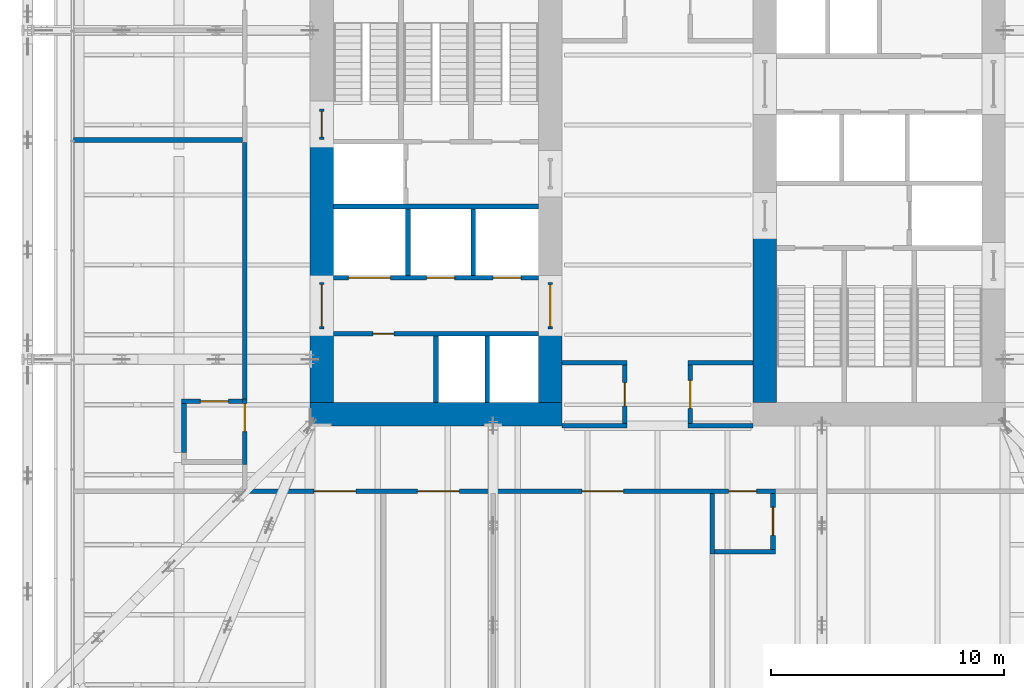
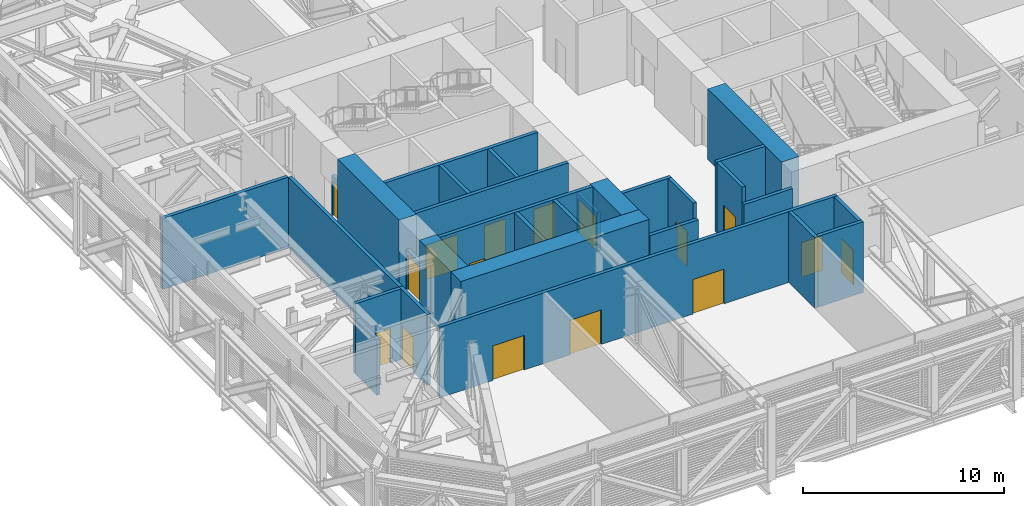
# One storey, part 22 of 33: 30 walls, 16 doors, 16 openings.
"""IFC4 building model written with IfcOpenShell, lengths in metres."""

from ifc_helpers import new_model, si_unit, direction, frame, frame_2d, origin, place, context, subcontext, project, spatial, rectangle, extrude, material, layer, layer_set, type_object, element, fill, save


model = new_model("IFC4")

# Units and contexts
model_context = context("Model", 3, precision=1e-05, world=origin(), true_north=direction((0.0, 1.0)))
body_context = subcontext(model_context, "Body", "Model", "MODEL_VIEW")
ifc_project = project(units=[si_unit("LENGTHUNIT", "METRE"), si_unit("AREAUNIT", "SQUARE_METRE"), si_unit("VOLUMEUNIT", "CUBIC_METRE"), si_unit("PLANEANGLEUNIT", "RADIAN"), si_unit("MASSUNIT", "GRAM", prefix="KILO")], contexts=[model_context])

# Site, building, storey
site_placement = place(None, origin())
site = spatial("IfcSite", under=ifc_project, at=site_placement, CompositionType="ELEMENT")
building_placement = place(site_placement, origin())
building = spatial("IfcBuilding", under=site, at=building_placement, Name="Millrace Tower", CompositionType="ELEMENT")
storey_placement = place(building_placement, frame((0.0, 0.0, 64.10009765625)))
storey = spatial("IfcBuildingStorey", under=building, at=storey_placement, Name="L14", CompositionType="ELEMENT", Elevation=64.10009765625)

# Walls
ifc_material_1 = material(Name="Concrete C80", Category="concrete")
ifc_layer_1 = layer(ifc_material_1, 1.0)
ifc_layer_set_1 = layer_set([ifc_layer_1], Name="Concrete C80")
wall_type_1 = type_object("IfcWallType", Name="Core wall 1000 Concrete C80", PredefinedType="SHEAR", material=ifc_layer_set_1)
wall_1_placement = place(storey_placement, frame((-14.89990234375, -9.39990234375, 0.0), z_axis=(0.0, 0.0, 1.0), x_axis=(1.0, 0.0, 0.0)))
element("IfcWall", 1, at=wall_1_placement, inside=storey, type_object=wall_type_1, Name="Core wall W L14", PredefinedType="SHEAR", context=body_context, shape_type="SweptSolid", body=[
    extrude(rectangle(XDim=10.7998046875, YDim=1.0, at=frame_2d((5.39990234375, 0.0))), origin(), (0.0, 0.0, 1.0), 4.2998046875),
])
wall_2_placement = place(storey_placement, frame((-14.39990234375, -8.89990234375, 0.0), z_axis=(0.0, 0.0, 1.0), x_axis=(0.0, 1.0, 0.0)))
element("IfcWall", 2, at=wall_2_placement, inside=storey, type_object=wall_type_1, Name="Core wall W L14", PredefinedType="SHEAR", context=body_context, shape_type="SweptSolid", body=[
    extrude(rectangle(XDim=3.14990234375, YDim=1.0, at=frame_2d((1.574951171875, 0.0))), origin(), (0.0, 0.0, 1.0), 4.2998046875),
])
wall_3_placement = place(storey_placement, frame((-14.39990234375, -3.75, 0.0), z_axis=(0.0, 0.0, 1.0), x_axis=(0.0, 1.0, 0.0)))
element("IfcWall", 3, at=wall_3_placement, inside=storey, type_object=wall_type_1, Name="Core wall W L14", PredefinedType="SHEAR", context=body_context, shape_type="SweptSolid", body=[
    extrude(rectangle(XDim=6.1298828125, YDim=1.0, at=frame_2d((3.06494140625, 0.0))), origin(), (0.0, 0.0, 1.0), 4.2998046875),
])
wall_4_placement = place(storey_placement, frame((-4.60009765625, -8.89990234375, 0.0), z_axis=(0.0, 0.0, 1.0), x_axis=(0.0, 1.0, 0.0)))
element("IfcWall", 4, at=wall_4_placement, inside=storey, type_object=wall_type_1, Name="Core wall W L14", PredefinedType="SHEAR", context=body_context, shape_type="SweptSolid", body=[
    extrude(rectangle(XDim=3.14990234375, YDim=1.0, at=frame_2d((1.574951171875, 0.0))), origin(), (0.0, 0.0, 1.0), 4.2998046875),
])
wall_5_placement = place(storey_placement, frame((4.60009765625, -1.550048828125, 0.0), z_axis=(0.0, 0.0, 1.0), x_axis=(0.0, -1.0, 0.0)))
element("IfcWall", 5, at=wall_5_placement, inside=storey, type_object=wall_type_1, Name="Core wall E L14", PredefinedType="SHEAR", context=body_context, shape_type="SweptSolid", body=[
    extrude(rectangle(XDim=7.349853515625, YDim=1.0, at=frame_2d((3.6748046875, 0.0))), origin(), (0.0, 0.0, 1.0), 4.2998046875),
])

# Wall, openings, doors
ifc_material_2 = material(Name="Masonry partition, fire-rated", Category="masonry")
ifc_layer_2 = layer(ifc_material_2, 0.199951171875)
ifc_layer_set_2 = layer_set([ifc_layer_2], Name="Masonry partition, fire-rated")
wall_type_2 = type_object("IfcWallType", Name="Corridor wall 200", PredefinedType="PARTITIONING", material=ifc_layer_set_2)
wall_6_placement = place(storey_placement, frame((-17.800048828125, -12.699951171875, 0.0), z_axis=(0.0, 0.0, 1.0), x_axis=(1.0, 0.0, 0.0)))
wall_6 = element("IfcWall", 6, at=wall_6_placement, inside=storey, type_object=wall_type_2, Name="Corridor wall L14", PredefinedType="PARTITIONING", context=body_context, shape_type="SweptSolid", body=[
    extrude(rectangle(XDim=22.85009765625, YDim=0.199951171875, at=frame_2d((11.425048828125, 0.0))), origin(), (0.0, 0.0, 1.0), 4.2998046875),
])
opening_1_placement = place(wall_6_placement, frame((3.070068359375, 0.0, 0.0)))
opening_1 = element("IfcOpeningElement", 7, at=opening_1_placement, cuts=wall_6, Name="Opening 14-P005", PredefinedType="OPENING", context=body_context, shape_type="SweptSolid", body=[
    extrude(rectangle(XDim=1.800048828125, YDim=2.10009765625, at=frame_2d((0.89990234375, 1.050048828125))), frame((0.0, 0.10986328125, 0.0), z_axis=(0.0, -1.0, 0.0), x_axis=(1.0, 0.0, 0.0)), (0.0, 0.0, 1.0), 0.219970703125),
])
opening_2_placement = place(wall_6_placement, frame((7.5, 0.0, 0.0)))
opening_2 = element("IfcOpeningElement", 8, at=opening_2_placement, cuts=wall_6, Name="Opening 14-P006", PredefinedType="OPENING", context=body_context, shape_type="SweptSolid", body=[
    extrude(rectangle(XDim=1.800048828125, YDim=2.10009765625, at=frame_2d((0.89990234375, 1.050048828125))), frame((0.0, 0.10986328125, 0.0), z_axis=(0.0, -1.0, 0.0), x_axis=(1.0, 0.0, 0.0)), (0.0, 0.0, 1.0), 0.219970703125),
])
opening_3_placement = place(wall_6_placement, frame((14.550048828125, 0.0, 0.0)))
opening_3 = element("IfcOpeningElement", 9, at=opening_3_placement, cuts=wall_6, Name="Opening 14-P007", PredefinedType="OPENING", context=body_context, shape_type="SweptSolid", body=[
    extrude(rectangle(XDim=1.800048828125, YDim=2.10009765625, at=frame_2d((0.89990234375, 1.050048828125))), frame((0.0, 0.10986328125, 0.0), z_axis=(0.0, -1.0, 0.0), x_axis=(1.0, 0.0, 0.0)), (0.0, 0.0, 1.0), 0.219970703125),
])
opening_4_placement = place(wall_6_placement, frame((20.85009765625, 0.0, 0.0)))
opening_4 = element("IfcOpeningElement", 10, at=opening_4_placement, cuts=wall_6, Name="Opening 14-P009", PredefinedType="OPENING", context=body_context, shape_type="SweptSolid", body=[
    extrude(rectangle(XDim=1.199951171875, YDim=2.10009765625, at=frame_2d((0.60009765625, 1.050048828125))), frame((0.0, 0.10986328125, 0.0), z_axis=(0.0, -1.0, 0.0), x_axis=(1.0, 0.0, 0.0)), (0.0, 0.0, 1.0), 0.219970703125),
])
ifc_material_3 = material(Name="Steel door set, fire-rated", Category="steel")
door_type_1 = type_object("IfcDoorType", Name="Corridor door 1200 x 2100", OperationType="SINGLE_SWING_LEFT", PredefinedType="DOOR", material=ifc_material_3)
door_1_placement = place(opening_4_placement, frame((1.199951171875, 0.0, 0.0), z_axis=(0.0, 0.0, 1.0), x_axis=(-1.0, 0.0, 0.0)))
door_1 = element("IfcDoor", 11, at=door_1_placement, inside=storey, type_object=door_type_1, Name="Door 14-P009", OperationType="SINGLE_SWING_LEFT", OverallHeight=2.10009765625, OverallWidth=1.199951171875, PredefinedType="DOOR", context=body_context, shape_type="SweptSolid", body=[
    extrude(rectangle(XDim=1.199951171875, YDim=2.10009765625, at=frame_2d((0.60009765625, 1.050048828125))), frame((0.0, 0.02490234375, 0.0), z_axis=(0.0, -1.0, 0.0), x_axis=(1.0, 0.0, 0.0)), (0.0, 0.0, 1.0), 0.050048828125),
])
fill(opening_4, door_1)
ifc_material_4 = material(Name="Steel door set, fire-rated", Category="steel")
door_type_2 = type_object("IfcDoorType", Name="Data hall door 1800 x 2100", OperationType="DOUBLE_DOOR_SINGLE_SWING", PredefinedType="DOOR", material=ifc_material_4)
door_2_placement = place(opening_2_placement, frame((1.800048828125, 0.0, 0.0), z_axis=(0.0, 0.0, 1.0), x_axis=(-1.0, 0.0, 0.0)))
door_2 = element("IfcDoor", 12, at=door_2_placement, inside=storey, type_object=door_type_2, Name="Door 14-P006", OperationType="DOUBLE_DOOR_SINGLE_SWING", OverallHeight=2.10009765625, OverallWidth=1.800048828125, PredefinedType="DOOR", context=body_context, shape_type="SweptSolid", body=[
    extrude(rectangle(XDim=1.800048828125, YDim=2.10009765625, at=frame_2d((0.89990234375, 1.050048828125))), frame((0.0, 0.02490234375, 0.0), z_axis=(0.0, -1.0, 0.0), x_axis=(1.0, 0.0, 0.0)), (0.0, 0.0, 1.0), 0.050048828125),
])
fill(opening_2, door_2)
door_3_placement = place(opening_3_placement, frame((1.800048828125, 0.0, 0.0), z_axis=(0.0, 0.0, 1.0), x_axis=(-1.0, 0.0, 0.0)))
door_3 = element("IfcDoor", 13, at=door_3_placement, inside=storey, type_object=door_type_2, Name="Door 14-P007", OperationType="DOUBLE_DOOR_SINGLE_SWING", OverallHeight=2.10009765625, OverallWidth=1.800048828125, PredefinedType="DOOR", context=body_context, shape_type="SweptSolid", body=[
    extrude(rectangle(XDim=1.800048828125, YDim=2.10009765625, at=frame_2d((0.89990234375, 1.050048828125))), frame((0.0, 0.02490234375, 0.0), z_axis=(0.0, -1.0, 0.0), x_axis=(1.0, 0.0, 0.0)), (0.0, 0.0, 1.0), 0.050048828125),
])
fill(opening_3, door_3)
ifc_material_5 = material(Name="Steel door set, fire-rated", Category="steel")
door_type_3 = type_object("IfcDoorType", Name="Plant room door 1800 x 2100", OperationType="DOUBLE_DOOR_SINGLE_SWING", PredefinedType="DOOR", material=ifc_material_5)
door_4_placement = place(opening_1_placement, frame((1.800048828125, 0.0, 0.0), z_axis=(0.0, 0.0, 1.0), x_axis=(-1.0, 0.0, 0.0)))
door_4 = element("IfcDoor", 14, at=door_4_placement, inside=storey, type_object=door_type_3, Name="Door 14-P005", OperationType="DOUBLE_DOOR_SINGLE_SWING", OverallHeight=2.10009765625, OverallWidth=1.800048828125, PredefinedType="DOOR", context=body_context, shape_type="SweptSolid", body=[
    extrude(rectangle(XDim=1.800048828125, YDim=2.10009765625, at=frame_2d((0.89990234375, 1.050048828125))), frame((0.0, 0.02490234375, 0.0), z_axis=(0.0, -1.0, 0.0), x_axis=(1.0, 0.0, 0.0)), (0.0, 0.0, 1.0), 0.050048828125),
])
fill(opening_1, door_4)

# Walls
for number, where, z_axis, x_axis, name in (
    (15, (-4.10009765625, -9.89990234375, 0.0), (0.0, 0.0, 1.0), (1.0, 0.0, 0.0), "Corridor wall L14"),
    (16, (1.300048828125, -9.89990234375, 0.0), (0.0, 0.0, 1.0), (1.0, 0.0, 0.0), "Corridor wall L14"),
):
    element("IfcWall", number, at=place(storey_placement, frame(where, z_axis=z_axis, x_axis=x_axis)), inside=storey, type_object=wall_type_2, Name=name, PredefinedType="PARTITIONING", context=body_context, shape_type="SweptSolid", body=[
        extrude(rectangle(XDim=2.800048828125, YDim=0.199951171875, at=frame_2d((1.39990234375, 0.0))), origin(), (0.0, 0.0, 1.0), 3.362548828125),
    ])
for number, where, z_axis, x_axis, name in (
    (17, (-4.10009765625, -7.199951171875, 0.0), (0.0, 0.0, 1.0), (1.0, 0.0, 0.0), "Corridor wall L14"),
    (18, (1.300048828125, -7.199951171875, 0.0), (0.0, 0.0, 1.0), (1.0, 0.0, 0.0), "Corridor wall L14"),
):
    element("IfcWall", number, at=place(storey_placement, frame(where, z_axis=z_axis, x_axis=x_axis)), inside=storey, type_object=wall_type_2, Name=name, PredefinedType="PARTITIONING", context=body_context, shape_type="SweptSolid", body=[
        extrude(rectangle(XDim=2.800048828125, YDim=0.199951171875, at=frame_2d((1.39990234375, 0.0))), origin(), (0.0, 0.0, 1.0), 4.2998046875),
    ])
wall_7_placement = place(storey_placement, frame((2.35009765625, -15.39990234375, 0.0), z_axis=(0.0, 0.0, 1.0), x_axis=(0.0, 1.0, 0.0)))
element("IfcWall", 19, at=wall_7_placement, inside=storey, type_object=wall_type_2, Name="Corridor wall L14", PredefinedType="PARTITIONING", context=body_context, shape_type="SweptSolid", body=[
    extrude(rectangle(XDim=2.599853515625, YDim=0.199951171875, at=frame_2d((1.2998046875, 0.0))), origin(), (0.0, 0.0, 1.0), 4.2998046875),
])

# Wall, opening, door
wall_8_placement = place(storey_placement, frame((1.39990234375, -9.800048828125, 0.0), z_axis=(0.0, 0.0, 1.0), x_axis=(0.0, 1.0, 0.0)))
wall_8 = element("IfcWall", 20, at=wall_8_placement, inside=storey, type_object=wall_type_2, Name="Corridor wall L14", PredefinedType="PARTITIONING", context=body_context, shape_type="SweptSolid", body=[
    extrude(rectangle(XDim=2.5, YDim=0.199951171875, at=frame_2d((1.25, 0.0))), origin(), (0.0, 0.0, 1.0), 4.2998046875),
])
opening_5_placement = place(wall_8_placement, frame((0.64990234375, 0.0, 0.0)))
opening_5 = element("IfcOpeningElement", 21, at=opening_5_placement, cuts=wall_8, Name="Opening 14-P004", PredefinedType="OPENING", context=body_context, shape_type="SweptSolid", body=[
    extrude(rectangle(XDim=1.199951171875, YDim=2.10009765625, at=frame_2d((0.60009765625, 1.050048828125))), frame((0.0, 0.10986328125, 0.0), z_axis=(0.0, -1.0, 0.0), x_axis=(1.0, 0.0, 0.0)), (0.0, 0.0, 1.0), 0.219970703125),
])
door_5_placement = place(opening_5_placement, frame((1.199951171875, 0.0, 0.0), z_axis=(0.0, 0.0, 1.0), x_axis=(-1.0, 0.0, 0.0)))
door_5 = element("IfcDoor", 22, at=door_5_placement, inside=storey, type_object=door_type_1, Name="Door 14-P004", OperationType="SINGLE_SWING_LEFT", OverallHeight=2.10009765625, OverallWidth=1.199951171875, PredefinedType="DOOR", context=body_context, shape_type="SweptSolid", body=[
    extrude(rectangle(XDim=1.199951171875, YDim=2.10009765625, at=frame_2d((0.60009765625, 1.050048828125))), frame((0.0, 0.02490234375, 0.0), z_axis=(0.0, -1.0, 0.0), x_axis=(1.0, 0.0, 0.0)), (0.0, 0.0, 1.0), 0.050048828125),
])
fill(opening_5, door_5)

wall_9_placement = place(storey_placement, frame((-1.39990234375, -9.800048828125, 0.0), z_axis=(0.0, 0.0, 1.0), x_axis=(0.0, 1.0, 0.0)))
wall_9 = element("IfcWall", 23, at=wall_9_placement, inside=storey, type_object=wall_type_2, Name="Corridor wall L14", PredefinedType="PARTITIONING", context=body_context, shape_type="SweptSolid", body=[
    extrude(rectangle(XDim=2.5, YDim=0.199951171875, at=frame_2d((1.25, 0.0))), origin(), (0.0, 0.0, 1.0), 4.2998046875),
])
opening_6_placement = place(wall_9_placement, frame((0.75, 0.0, 0.0)))
opening_6 = element("IfcOpeningElement", 24, at=opening_6_placement, cuts=wall_9, Name="Opening 14-P003", PredefinedType="OPENING", context=body_context, shape_type="SweptSolid", body=[
    extrude(rectangle(XDim=1.0, YDim=2.10009765625, at=frame_2d((0.5, 1.050048828125))), frame((0.0, 0.10986328125, 0.0), z_axis=(0.0, -1.0, 0.0), x_axis=(1.0, 0.0, 0.0)), (0.0, 0.0, 1.0), 0.219970703125),
])
ifc_material_6 = material(Name="Steel door set, fire-rated", Category="steel")
door_type_4 = type_object("IfcDoorType", Name="Corridor door 1000 x 2100", OperationType="SINGLE_SWING_LEFT", PredefinedType="DOOR", material=ifc_material_6)
door_6_placement = place(opening_6_placement, origin())
door_6 = element("IfcDoor", 25, at=door_6_placement, inside=storey, type_object=door_type_4, Name="Door 14-P003", OperationType="SINGLE_SWING_RIGHT", OverallHeight=2.10009765625, OverallWidth=1.0, PredefinedType="DOOR", context=body_context, shape_type="SweptSolid", body=[
    extrude(rectangle(XDim=1.0, YDim=2.10009765625, at=frame_2d((0.5, 1.050048828125))), frame((0.0, 0.02490234375, 0.0), z_axis=(0.0, -1.0, 0.0), x_axis=(1.0, 0.0, 0.0)), (0.0, 0.0, 1.0), 0.050048828125),
])
fill(opening_6, door_6)

wall_10_placement = place(storey_placement, frame((-17.699951171875, -11.550048828125, 0.0), z_axis=(0.0, 0.0, 1.0), x_axis=(0.0, 1.0, 0.0)))
wall_10 = element("IfcWall", 26, at=wall_10_placement, inside=storey, type_object=wall_type_2, Name="Corridor wall L14", PredefinedType="PARTITIONING", context=body_context, shape_type="SweptSolid", body=[
    extrude(rectangle(XDim=2.800048828125, YDim=0.199951171875, at=frame_2d((1.39990234375, 0.0))), origin(), (0.0, 0.0, 1.0), 4.2998046875),
])
opening_7_placement = place(wall_10_placement, frame((1.39990234375, 0.0, 0.0)))
opening_7 = element("IfcOpeningElement", 27, at=opening_7_placement, cuts=wall_10, Name="Opening 14-P020", PredefinedType="OPENING", context=body_context, shape_type="SweptSolid", body=[
    extrude(rectangle(XDim=1.199951171875, YDim=2.10009765625, at=frame_2d((0.60009765625, 1.050048828125))), frame((0.0, 0.10986328125, 0.0), z_axis=(0.0, -1.0, 0.0), x_axis=(1.0, 0.0, 0.0)), (0.0, 0.0, 1.0), 0.219970703125),
])
door_7_placement = place(opening_7_placement, origin())
door_7 = element("IfcDoor", 28, at=door_7_placement, inside=storey, type_object=door_type_1, Name="Door 14-P020", OperationType="SINGLE_SWING_RIGHT", OverallHeight=2.10009765625, OverallWidth=1.199951171875, PredefinedType="DOOR", context=body_context, shape_type="SweptSolid", body=[
    extrude(rectangle(XDim=1.199951171875, YDim=2.10009765625, at=frame_2d((0.60009765625, 1.050048828125))), frame((0.0, 0.02490234375, 0.0), z_axis=(0.0, -1.0, 0.0), x_axis=(1.0, 0.0, 0.0)), (0.0, 0.0, 1.0), 0.050048828125),
])
fill(opening_7, door_7)

ifc_material_7 = material(Name="Masonry partition, fire-rated", Category="masonry")
ifc_layer_3 = layer(ifc_material_7, 0.199951171875)
ifc_layer_set_3 = layer_set([ifc_layer_3], Name="Masonry partition, fire-rated")
wall_type_3 = type_object("IfcWallType", Name="Lift shaft wall 200", PredefinedType="PARTITIONING", material=ifc_layer_set_3)
wall_11_placement = place(storey_placement, frame((-13.89990234375, -5.949951171875, 0.0), z_axis=(0.0, 0.0, 1.0), x_axis=(1.0, 0.0, 0.0)))
wall_11 = element("IfcWall", 29, at=wall_11_placement, inside=storey, type_object=wall_type_3, Name="Lift shaft wall W L14", PredefinedType="PARTITIONING", context=body_context, shape_type="SweptSolid", body=[
    extrude(rectangle(XDim=8.7998046875, YDim=0.199951171875, at=frame_2d((4.39990234375, 0.0))), origin(), (0.0, 0.0, 1.0), 4.2998046875),
])
opening_8_placement = place(wall_11_placement, frame((1.699951171875, 0.0, 0.0)))
opening_8 = element("IfcOpeningElement", 30, at=opening_8_placement, cuts=wall_11, Name="Opening 14-C005", PredefinedType="OPENING", context=body_context, shape_type="SweptSolid", body=[
    extrude(rectangle(XDim=0.89990234375, YDim=2.10009765625, at=frame_2d((0.449951171875, 1.050048828125))), frame((0.0, 0.10986328125, 0.0), z_axis=(0.0, -1.0, 0.0), x_axis=(1.0, 0.0, 0.0)), (0.0, 0.0, 1.0), 0.219970703125),
])
ifc_material_8 = material(Name="Steel door, fire-rated", Category="steel")
door_type_5 = type_object("IfcDoorType", Name="Service room door 900 x 2100", OperationType="SINGLE_SWING_LEFT", PredefinedType="DOOR", material=ifc_material_8)
door_8_placement = place(opening_8_placement, frame((0.89990234375, 0.0, 0.0), z_axis=(0.0, 0.0, 1.0), x_axis=(-1.0, 0.0, 0.0)))
door_8 = element("IfcDoor", 31, at=door_8_placement, inside=storey, type_object=door_type_5, Name="Service room door 14-C005", OperationType="SINGLE_SWING_RIGHT", OverallHeight=2.10009765625, OverallWidth=0.89990234375, PredefinedType="DOOR", context=body_context, shape_type="SweptSolid", body=[
    extrude(rectangle(XDim=0.89990234375, YDim=2.10009765625, at=frame_2d((0.449951171875, 1.050048828125))), frame((0.0, 0.02490234375, 0.0), z_axis=(0.0, -1.0, 0.0), x_axis=(1.0, 0.0, 0.0)), (0.0, 0.0, 1.0), 0.050048828125),
])
fill(opening_8, door_8)

# Wall, openings, doors
wall_12_placement = place(storey_placement, frame((-13.89990234375, -3.550048828125, 0.0), z_axis=(0.0, 0.0, 1.0), x_axis=(1.0, 0.0, 0.0)))
wall_12 = element("IfcWall", 32, at=wall_12_placement, inside=storey, type_object=wall_type_3, Name="Lift shaft wall W L14", PredefinedType="PARTITIONING", context=body_context, shape_type="SweptSolid", body=[
    extrude(rectangle(XDim=8.7998046875, YDim=0.199951171875, at=frame_2d((4.39990234375, 0.0))), origin(), (0.0, 0.0, 1.0), 4.2998046875),
])
opening_9_placement = place(wall_12_placement, frame((0.64990234375, 0.0, 0.0)))
opening_9 = element("IfcOpeningElement", 33, at=opening_9_placement, cuts=wall_12, Name="Opening 14-LD05", PredefinedType="OPENING", context=body_context, shape_type="SweptSolid", body=[
    extrude(rectangle(XDim=1.800048828125, YDim=2.10009765625, at=frame_2d((0.89990234375, 1.050048828125))), frame((0.0, 0.10986328125, 0.0), z_axis=(0.0, -1.0, 0.0), x_axis=(1.0, 0.0, 0.0)), (0.0, 0.0, 1.0), 0.219970703125),
])
opening_10_placement = place(wall_12_placement, frame((4.0, 0.0, 0.0)))
opening_10 = element("IfcOpeningElement", 34, at=opening_10_placement, cuts=wall_12, Name="Opening 14-LD06", PredefinedType="OPENING", context=body_context, shape_type="SweptSolid", body=[
    extrude(rectangle(XDim=1.199951171875, YDim=2.10009765625, at=frame_2d((0.60009765625, 1.050048828125))), frame((0.0, 0.10986328125, 0.0), z_axis=(0.0, -1.0, 0.0), x_axis=(1.0, 0.0, 0.0)), (0.0, 0.0, 1.0), 0.219970703125),
])
opening_11_placement = place(wall_12_placement, frame((6.85009765625, 0.0, 0.0)))
opening_11 = element("IfcOpeningElement", 35, at=opening_11_placement, cuts=wall_12, Name="Opening 14-LD07", PredefinedType="OPENING", context=body_context, shape_type="SweptSolid", body=[
    extrude(rectangle(XDim=1.199951171875, YDim=2.10009765625, at=frame_2d((0.60009765625, 1.050048828125))), frame((0.0, 0.10986328125, 0.0), z_axis=(0.0, -1.0, 0.0), x_axis=(1.0, 0.0, 0.0)), (0.0, 0.0, 1.0), 0.219970703125),
])
ifc_material_9 = material(Name="Stainless steel, fire-rated", Category="steel")
door_type_6 = type_object("IfcDoorType", Name="Lift landing door 1200 x 2100", OperationType="DOUBLE_DOOR_SLIDING", PredefinedType="DOOR", material=ifc_material_9)
door_9_placement = place(opening_10_placement, origin())
door_9 = element("IfcDoor", 36, at=door_9_placement, inside=storey, type_object=door_type_6, Name="Lift landing door LF6 L14", OperationType="DOUBLE_DOOR_SLIDING", OverallHeight=2.10009765625, OverallWidth=1.199951171875, PredefinedType="DOOR", context=body_context, shape_type="SweptSolid", body=[
    extrude(rectangle(XDim=1.199951171875, YDim=2.10009765625, at=frame_2d((0.60009765625, 1.050048828125))), frame((0.0, 0.02490234375, 0.0), z_axis=(0.0, -1.0, 0.0), x_axis=(1.0, 0.0, 0.0)), (0.0, 0.0, 1.0), 0.050048828125),
])
fill(opening_10, door_9)
door_10_placement = place(opening_11_placement, origin())
door_10 = element("IfcDoor", 37, at=door_10_placement, inside=storey, type_object=door_type_6, Name="Lift landing door LF7 L14", OperationType="DOUBLE_DOOR_SLIDING", OverallHeight=2.10009765625, OverallWidth=1.199951171875, PredefinedType="DOOR", context=body_context, shape_type="SweptSolid", body=[
    extrude(rectangle(XDim=1.199951171875, YDim=2.10009765625, at=frame_2d((0.60009765625, 1.050048828125))), frame((0.0, 0.02490234375, 0.0), z_axis=(0.0, -1.0, 0.0), x_axis=(1.0, 0.0, 0.0)), (0.0, 0.0, 1.0), 0.050048828125),
])
fill(opening_11, door_10)
ifc_material_10 = material(Name="Stainless steel, fire-rated", Category="steel")
door_type_7 = type_object("IfcDoorType", Name="Lift landing door 1800 x 2100", OperationType="DOUBLE_DOOR_SLIDING", PredefinedType="DOOR", material=ifc_material_10)
door_11_placement = place(opening_9_placement, origin())
door_11 = element("IfcDoor", 38, at=door_11_placement, inside=storey, type_object=door_type_7, Name="Lift landing door LF5 L14", OperationType="DOUBLE_DOOR_SLIDING", OverallHeight=2.10009765625, OverallWidth=1.800048828125, PredefinedType="DOOR", context=body_context, shape_type="SweptSolid", body=[
    extrude(rectangle(XDim=1.800048828125, YDim=2.10009765625, at=frame_2d((0.89990234375, 1.050048828125))), frame((0.0, 0.02490234375, 0.0), z_axis=(0.0, -1.0, 0.0), x_axis=(1.0, 0.0, 0.0)), (0.0, 0.0, 1.0), 0.050048828125),
])
fill(opening_9, door_11)

# Walls
wall_13_placement = place(storey_placement, frame((-13.89990234375, -0.5, 0.0), z_axis=(0.0, 0.0, 1.0), x_axis=(1.0, 0.0, 0.0)))
element("IfcWall", 39, at=wall_13_placement, inside=storey, type_object=wall_type_3, Name="Lift shaft wall W L14", PredefinedType="PARTITIONING", context=body_context, shape_type="SweptSolid", body=[
    extrude(rectangle(XDim=8.7998046875, YDim=0.199951171875, at=frame_2d((4.39990234375, 0.0))), origin(), (0.0, 0.0, 1.0), 4.2998046875),
])
for number, where, z_axis, x_axis, name in (
    (40, (-9.5, -8.89990234375, 0.0), (0.0, 0.0, 1.0), (0.0, 1.0, 0.0), "Lift shaft wall W L14"),
    (41, (-7.300048828125, -8.89990234375, 0.0), (0.0, 0.0, 1.0), (0.0, 1.0, 0.0), "Lift shaft wall W L14"),
    (42, (-10.699951171875, -3.449951171875, 0.0), (0.0, 0.0, 1.0), (0.0, 1.0, 0.0), "Lift shaft wall W L14"),
    (43, (-7.89990234375, -3.449951171875, 0.0), (0.0, 0.0, 1.0), (0.0, 1.0, 0.0), "Lift shaft wall W L14"),
):
    element("IfcWall", number, at=place(storey_placement, frame(where, z_axis=z_axis, x_axis=x_axis)), inside=storey, type_object=wall_type_3, Name=name, PredefinedType="PARTITIONING", context=body_context, shape_type="SweptSolid", body=[
        extrude(rectangle(XDim=2.849853515625, YDim=0.199951171875, at=frame_2d((1.4248046875, 0.0))), origin(), (0.0, 0.0, 1.0), 4.2998046875),
    ])

# Wall, opening, door
ifc_material_11 = material(Name="Masonry partition, fire-rated", Category="masonry")
ifc_layer_4 = layer(ifc_material_11, 0.199951171875)
ifc_layer_set_4 = layer_set([ifc_layer_4], Name="Masonry partition, fire-rated")
wall_type_4 = type_object("IfcWallType", Name="Lobby wall 200", PredefinedType="PARTITIONING", material=ifc_layer_set_4)
wall_14_placement = place(storey_placement, frame((-14.39990234375, -5.75, 0.0), z_axis=(0.0, 0.0, 1.0), x_axis=(0.0, 1.0, 0.0)))
wall_14 = element("IfcWall", 44, at=wall_14_placement, inside=storey, type_object=wall_type_4, Name="Lobby wall W L14", PredefinedType="PARTITIONING", context=body_context, shape_type="SweptSolid", body=[
    extrude(rectangle(XDim=2.0, YDim=0.199951171875, at=frame_2d((1.0, 0.0))), origin(), (0.0, 0.0, 1.0), 2.39990234375),
])
opening_12_placement = place(wall_14_placement, frame((0.10009765625, 0.0, 0.0)))
opening_12 = element("IfcOpeningElement", 45, at=opening_12_placement, cuts=wall_14, Name="Opening 14-C001", PredefinedType="OPENING", context=body_context, shape_type="SweptSolid", body=[
    extrude(rectangle(XDim=1.800048828125, YDim=2.10009765625, at=frame_2d((0.89990234375, 1.050048828125))), frame((0.0, 0.10986328125, 0.0), z_axis=(0.0, -1.0, 0.0), x_axis=(1.0, 0.0, 0.0)), (0.0, 0.0, 1.0), 0.219970703125),
])
ifc_material_12 = material(Name="Steel door, fire-rated", Category="steel")
door_type_8 = type_object("IfcDoorType", Name="Lobby door 1800 x 2100", OperationType="DOUBLE_DOOR_SINGLE_SWING", PredefinedType="DOOR", material=ifc_material_12)
door_12_placement = place(opening_12_placement, origin())
door_12 = element("IfcDoor", 46, at=door_12_placement, inside=storey, type_object=door_type_8, Name="Lobby door 14-C001", OperationType="DOUBLE_DOOR_SINGLE_SWING", OverallHeight=2.10009765625, OverallWidth=1.800048828125, PredefinedType="DOOR", context=body_context, shape_type="SweptSolid", body=[
    extrude(rectangle(XDim=1.800048828125, YDim=2.10009765625, at=frame_2d((0.89990234375, 1.050048828125))), frame((0.0, 0.02490234375, 0.0), z_axis=(0.0, -1.0, 0.0), x_axis=(1.0, 0.0, 0.0)), (0.0, 0.0, 1.0), 0.050048828125),
])
fill(opening_12, door_12)

wall_15_placement = place(storey_placement, frame((-4.60009765625, -5.75, 0.0), z_axis=(0.0, 0.0, 1.0), x_axis=(0.0, 1.0, 0.0)))
wall_15 = element("IfcWall", 47, at=wall_15_placement, inside=storey, type_object=wall_type_4, Name="Lobby wall W L14", PredefinedType="PARTITIONING", context=body_context, shape_type="SweptSolid", body=[
    extrude(rectangle(XDim=2.0, YDim=0.199951171875, at=frame_2d((1.0, 0.0))), origin(), (0.0, 0.0, 1.0), 2.39990234375),
])
opening_13_placement = place(wall_15_placement, frame((0.10009765625, 0.0, 0.0)))
opening_13 = element("IfcOpeningElement", 48, at=opening_13_placement, cuts=wall_15, Name="Opening 14-C003", PredefinedType="OPENING", context=body_context, shape_type="SweptSolid", body=[
    extrude(rectangle(XDim=1.800048828125, YDim=2.10009765625, at=frame_2d((0.89990234375, 1.050048828125))), frame((0.0, 0.10986328125, 0.0), z_axis=(0.0, -1.0, 0.0), x_axis=(1.0, 0.0, 0.0)), (0.0, 0.0, 1.0), 0.219970703125),
])
door_13_placement = place(opening_13_placement, origin())
door_13 = element("IfcDoor", 49, at=door_13_placement, inside=storey, type_object=door_type_8, Name="Lobby door 14-C003", OperationType="DOUBLE_DOOR_SINGLE_SWING", OverallHeight=2.10009765625, OverallWidth=1.800048828125, PredefinedType="DOOR", context=body_context, shape_type="SweptSolid", body=[
    extrude(rectangle(XDim=1.800048828125, YDim=2.10009765625, at=frame_2d((0.89990234375, 1.050048828125))), frame((0.0, 0.02490234375, 0.0), z_axis=(0.0, -1.0, 0.0), x_axis=(1.0, 0.0, 0.0)), (0.0, 0.0, 1.0), 0.050048828125),
])
fill(opening_13, door_13)

# Wall
ifc_material_13 = material(Name="Masonry partition, fire-rated", Category="masonry")
ifc_layer_5 = layer(ifc_material_13, 0.199951171875)
ifc_layer_set_5 = layer_set([ifc_layer_5], Name="Masonry partition, fire-rated")
wall_type_5 = type_object("IfcWallType", Name="Refuge area wall 200", PredefinedType="PARTITIONING", material=ifc_layer_set_5)
wall_16_placement = place(storey_placement, frame((2.449951171875, -15.300048828125, 0.0), z_axis=(0.0, 0.0, 1.0), x_axis=(1.0, 0.0, 0.0)))
element("IfcWall", 50, at=wall_16_placement, inside=storey, type_object=wall_type_5, Name="Refuge area wall L14", PredefinedType="PARTITIONING", context=body_context, shape_type="SweptSolid", body=[
    extrude(rectangle(XDim=2.60009765625, YDim=0.199951171875, at=frame_2d((1.300048828125, 0.0))), origin(), (0.0, 0.0, 1.0), 4.2998046875),
])

# Wall, opening, door
wall_17_placement = place(storey_placement, frame((-20.39990234375, -8.85009765625, 0.0), z_axis=(0.0, 0.0, 1.0), x_axis=(1.0, 0.0, 0.0)))
wall_17 = element("IfcWall", 51, at=wall_17_placement, inside=storey, type_object=wall_type_5, Name="Refuge area wall L14", PredefinedType="PARTITIONING", context=body_context, shape_type="SweptSolid", body=[
    extrude(rectangle(XDim=2.599853515625, YDim=0.199951171875, at=frame_2d((1.2998046875, 0.0))), origin(), (0.0, 0.0, 1.0), 4.2998046875),
])
opening_14_placement = place(wall_17_placement, frame((0.800048828125, 0.0, 0.0)))
opening_14 = element("IfcOpeningElement", 52, at=opening_14_placement, cuts=wall_17, Name="Opening 14-P019", PredefinedType="OPENING", context=body_context, shape_type="SweptSolid", body=[
    extrude(rectangle(XDim=1.199951171875, YDim=2.10009765625, at=frame_2d((0.60009765625, 1.050048828125))), frame((0.0, 0.10986328125, 0.0), z_axis=(0.0, -1.0, 0.0), x_axis=(1.0, 0.0, 0.0)), (0.0, 0.0, 1.0), 0.219970703125),
])
ifc_material_14 = material(Name="Steel door set, fire-rated", Category="steel")
door_type_9 = type_object("IfcDoorType", Name="Refuge door 1200 x 2100", OperationType="SINGLE_SWING_LEFT", PredefinedType="DOOR", material=ifc_material_14)
door_14_placement = place(opening_14_placement, origin())
door_14 = element("IfcDoor", 53, at=door_14_placement, inside=storey, type_object=door_type_9, Name="Door 14-P019", OperationType="SINGLE_SWING_RIGHT", OverallHeight=2.10009765625, OverallWidth=1.199951171875, PredefinedType="DOOR", context=body_context, shape_type="SweptSolid", body=[
    extrude(rectangle(XDim=1.199951171875, YDim=2.10009765625, at=frame_2d((0.60009765625, 1.050048828125))), frame((0.0, 0.02490234375, 0.0), z_axis=(0.0, -1.0, 0.0), x_axis=(1.0, 0.0, 0.0)), (0.0, 0.0, 1.0), 0.050048828125),
])
fill(opening_14, door_14)

# Wall
wall_18_placement = place(storey_placement, frame((-25.030029296875, 2.35009765625, 0.0), z_axis=(0.0, 0.0, 1.0), x_axis=(1.0, 0.0, 0.0)))
element("IfcWall", 54, at=wall_18_placement, inside=storey, type_object=wall_type_5, Name="Refuge area wall L14", PredefinedType="PARTITIONING", context=body_context, shape_type="SweptSolid", body=[
    extrude(rectangle(XDim=7.22998046875, YDim=0.199951171875, at=frame_2d((3.614990234375, 0.0))), origin(), (0.0, 0.0, 1.0), 4.2998046875),
])

# Wall, opening, door
wall_19_placement = place(storey_placement, frame((4.949951171875, -15.199951171875, 0.0), z_axis=(0.0, 0.0, 1.0), x_axis=(0.0, 1.0, 0.0)))
wall_19 = element("IfcWall", 55, at=wall_19_placement, inside=storey, type_object=wall_type_5, Name="Refuge area wall L14", PredefinedType="PARTITIONING", context=body_context, shape_type="SweptSolid", body=[
    extrude(rectangle(XDim=2.39990234375, YDim=0.199951171875, at=frame_2d((1.199951171875, 0.0))), origin(), (0.0, 0.0, 1.0), 4.2998046875),
])
opening_15_placement = place(wall_19_placement, frame((0.60009765625, 0.0, 0.0)))
opening_15 = element("IfcOpeningElement", 56, at=opening_15_placement, cuts=wall_19, Name="Opening 14-P008", PredefinedType="OPENING", context=body_context, shape_type="SweptSolid", body=[
    extrude(rectangle(XDim=1.199951171875, YDim=2.10009765625, at=frame_2d((0.60009765625, 1.050048828125))), frame((0.0, 0.10986328125, 0.0), z_axis=(0.0, -1.0, 0.0), x_axis=(1.0, 0.0, 0.0)), (0.0, 0.0, 1.0), 0.219970703125),
])
door_15_placement = place(opening_15_placement, frame((1.199951171875, 0.0, 0.0), z_axis=(0.0, 0.0, 1.0), x_axis=(-1.0, 0.0, 0.0)))
door_15 = element("IfcDoor", 57, at=door_15_placement, inside=storey, type_object=door_type_9, Name="Door 14-P008", OperationType="SINGLE_SWING_RIGHT", OverallHeight=2.10009765625, OverallWidth=1.199951171875, PredefinedType="DOOR", context=body_context, shape_type="SweptSolid", body=[
    extrude(rectangle(XDim=1.199951171875, YDim=2.10009765625, at=frame_2d((0.60009765625, 1.050048828125))), frame((0.0, 0.02490234375, 0.0), z_axis=(0.0, -1.0, 0.0), x_axis=(1.0, 0.0, 0.0)), (0.0, 0.0, 1.0), 0.050048828125),
])
fill(opening_15, door_15)

# Walls
wall_20_placement = place(storey_placement, frame((-17.699951171875, -8.75, 0.0), z_axis=(0.0, 0.0, 1.0), x_axis=(0.0, 1.0, 0.0)))
element("IfcWall", 58, at=wall_20_placement, inside=storey, type_object=wall_type_5, Name="Refuge area wall L14", PredefinedType="PARTITIONING", context=body_context, shape_type="SweptSolid", body=[
    extrude(rectangle(XDim=11.0, YDim=0.199951171875, at=frame_2d((5.5, 0.0))), origin(), (0.0, 0.0, 1.0), 4.2998046875),
])
wall_21_placement = place(storey_placement, frame((-20.300048828125, -11.0458984375, 0.0), z_axis=(0.0, 0.0, 1.0), x_axis=(0.0, 1.0, 0.0)))
element("IfcWall", 59, at=wall_21_placement, inside=storey, type_object=wall_type_5, Name="Refuge area wall L14", PredefinedType="PARTITIONING", context=body_context, shape_type="SweptSolid", body=[
    extrude(rectangle(XDim=2.095947265625, YDim=0.199951171875, at=frame_2d((1.0478515625, 0.0))), origin(), (0.0, 0.0, 1.0), 3.362548828125),
])

# Wall, opening, door
ifc_material_15 = material(Name="Concrete C40", Category="concrete")
ifc_layer_6 = layer(ifc_material_15, 0.199951171875)
ifc_layer_set_6 = layer_set([ifc_layer_6], Name="Concrete C40")
wall_type_6 = type_object("IfcWallType", Name="Stair enclosure wall 200 Concrete C40", PredefinedType="SHEAR", material=ifc_layer_set_6)
wall_22_placement = place(storey_placement, frame((-14.39990234375, 2.3798828125, 0.0), z_axis=(0.0, 0.0, 1.0), x_axis=(0.0, 1.0, 0.0)))
wall_22 = element("IfcWall", 60, at=wall_22_placement, inside=storey, type_object=wall_type_6, Name="Stair enclosure wall W L14", PredefinedType="SHEAR", context=body_context, shape_type="SweptSolid", body=[
    extrude(rectangle(XDim=1.300048828125, YDim=0.199951171875, at=frame_2d((0.64990234375, 0.0))), origin(), (0.0, 0.0, 1.0), 2.39990234375),
])
opening_16_placement = place(wall_22_placement, frame((0.10009765625, 0.0, 0.0)))
opening_16 = element("IfcOpeningElement", 61, at=opening_16_placement, cuts=wall_22, Name="Opening 14-C002", PredefinedType="OPENING", context=body_context, shape_type="SweptSolid", body=[
    extrude(rectangle(XDim=1.10009765625, YDim=2.10009765625, at=frame_2d((0.550048828125, 1.050048828125))), frame((0.0, 0.10986328125, 0.0), z_axis=(0.0, -1.0, 0.0), x_axis=(1.0, 0.0, 0.0)), (0.0, 0.0, 1.0), 0.219970703125),
])
ifc_material_16 = material(Name="Steel door, fire-rated", Category="steel")
door_type_10 = type_object("IfcDoorType", Name="Stair door 1100 x 2100", OperationType="SINGLE_SWING_LEFT", PredefinedType="DOOR", material=ifc_material_16)
door_16_placement = place(opening_16_placement, origin())
door_16 = element("IfcDoor", 62, at=door_16_placement, inside=storey, type_object=door_type_10, Name="Stair door 14-C002", OperationType="SINGLE_SWING_RIGHT", OverallHeight=2.10009765625, OverallWidth=1.10009765625, PredefinedType="DOOR", context=body_context, shape_type="SweptSolid", body=[
    extrude(rectangle(XDim=1.10009765625, YDim=2.10009765625, at=frame_2d((0.550048828125, 1.050048828125))), frame((0.0, 0.02490234375, 0.0), z_axis=(0.0, -1.0, 0.0), x_axis=(1.0, 0.0, 0.0)), (0.0, 0.0, 1.0), 0.050048828125),
])
fill(opening_16, door_16)

save(model, "model.ifc")
